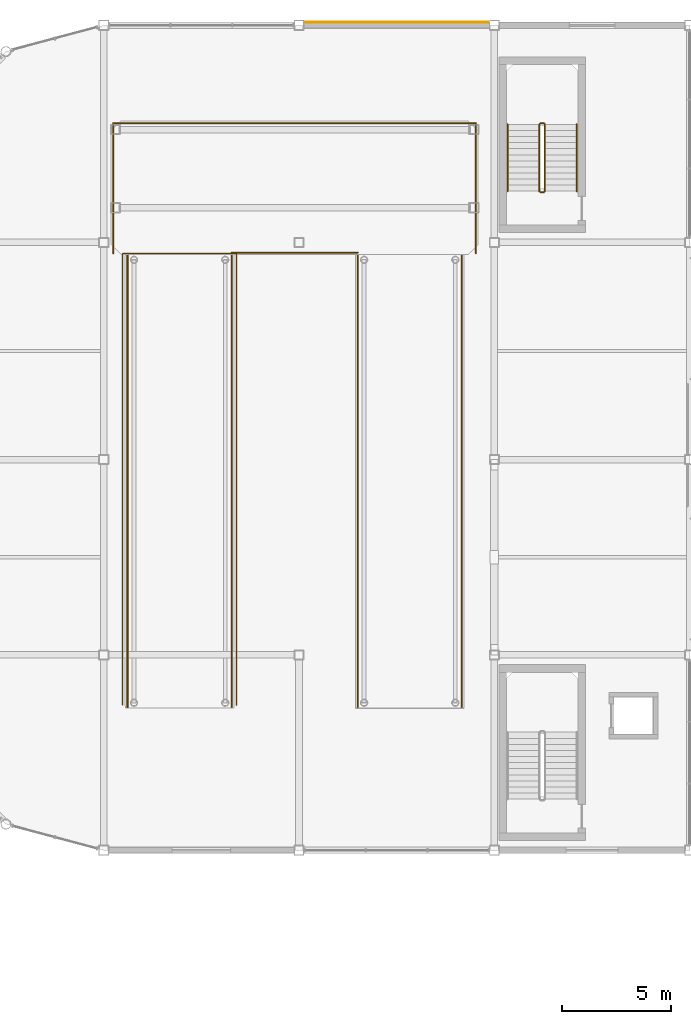
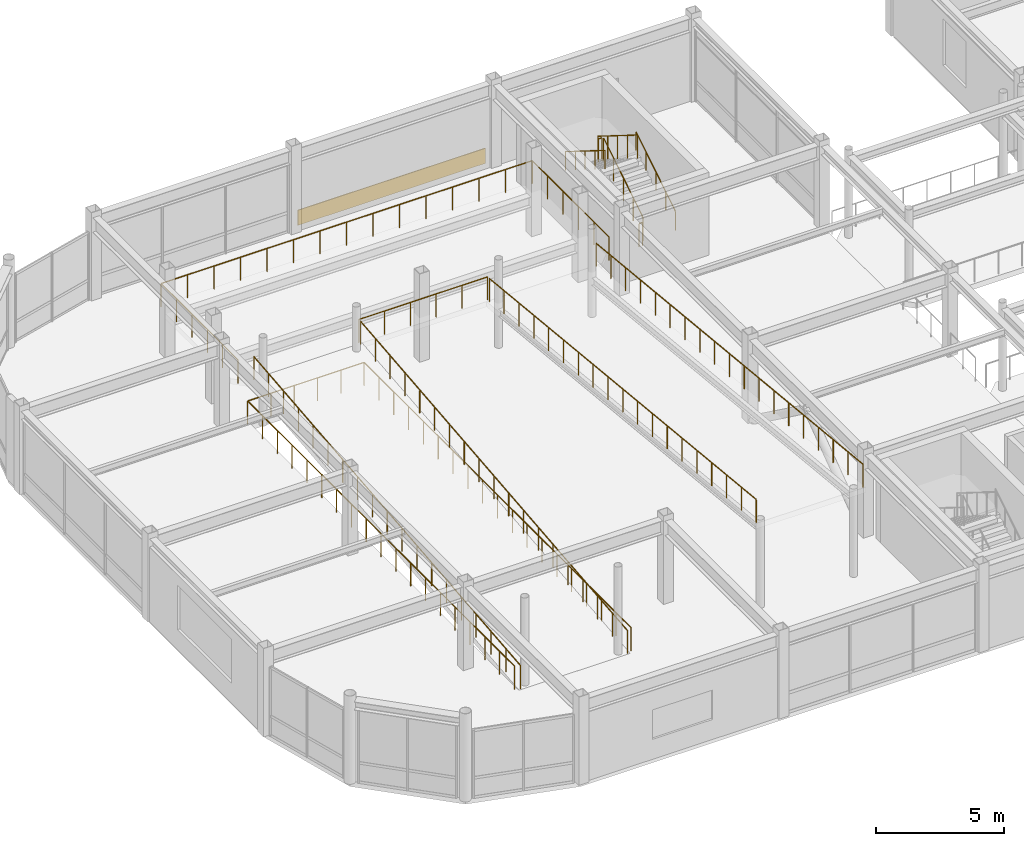
# One storey, part 95 of 105: 13 railings, 1 covering.
"""IFC4 building model written with IfcOpenShell, lengths in metres."""

from ifc_helpers import new_model, si_unit, direction, frame, origin, origin_2d, place, context, subcontext, project, spatial, rectangle, circle, extrude, material, layer, layer_set, type_object, element, save


model = new_model("IFC4")

# Units and contexts
model_context = context("Model", 3, precision=1e-05, world=origin(), true_north=direction((0.0, 1.0)))
body_context = subcontext(model_context, "Body", "Model", "MODEL_VIEW")
ifc_project = project(units=[si_unit("LENGTHUNIT", "METRE"), si_unit("AREAUNIT", "SQUARE_METRE"), si_unit("VOLUMEUNIT", "CUBIC_METRE"), si_unit("PLANEANGLEUNIT", "RADIAN"), si_unit("MASSUNIT", "GRAM", prefix="KILO")], contexts=[model_context])

# Site, building, storey
site_placement = place(None, origin())
site = spatial("IfcSite", under=ifc_project, at=site_placement, CompositionType="ELEMENT")
building_placement = place(site_placement, origin())
building = spatial("IfcBuilding", under=site, at=building_placement, Name="Suzunagisa Mobility Hub", CompositionType="ELEMENT")
storey_placement = place(building_placement, frame((0.0, 0.0, 5.10009765625)))
storey = spatial("IfcBuildingStorey", under=building, at=storey_placement, Name="L01", CompositionType="ELEMENT", Elevation=5.10009765625)

# Railings
ifc_material_1 = material(Name="Stainless Steel SUS304", Category="metal")
railing_type_1 = type_object("IfcRailingType", Name="Interior Well Guardrail IGR-01", PredefinedType="GUARDRAIL", material=ifc_material_1)
railing_1_placement = place(storey_placement, frame((29.330078125, 110.360107421875, 0.1748046875)))
element("IfcRailing", 1, at=railing_1_placement, inside=storey, type_object=railing_type_1, Name="L01 ST-06 stair guard 1", PredefinedType="GUARDRAIL", context=body_context, shape_type="SweptSolid", body=[
    extrude(circle(Radius=0.02392578125, at=origin_2d()), frame((0.0, 0.0, 1.09619140625), z_axis=(0.0, 0.847979421464, 0.530029150871), x_axis=(-1.0, 0.0, 0.0)), (0.0, 0.0, 1.0), 3.632080078125),
    extrude(circle(Radius=0.02099609375, at=origin_2d()), origin(), (0.0, 0.0, 1.0), 1.072021484375),
    extrude(circle(Radius=0.02099609375, at=origin_2d()), frame((0.0, 0.77001953125, 0.481201171875)), (0.0, 0.0, 1.0), 1.072021484375),
    extrude(circle(Radius=0.02099609375, at=origin_2d()), frame((0.0, 1.5400390625, 0.96240234375)), (0.0, 0.0, 1.0), 1.072021484375),
    extrude(circle(Radius=0.02099609375, at=origin_2d()), frame((0.0, 2.309814453125, 1.44384765625)), (0.0, 0.0, 1.0), 1.072021484375),
    extrude(circle(Radius=0.02099609375, at=origin_2d()), frame((0.0, 3.079833984375, 1.925048828125)), (0.0, 0.0, 1.0), 1.072021484375),
])
railing_2_placement = place(storey_placement, frame((29.280029296875, 113.489990234375, 2.099853515625)))
element("IfcRailing", 2, at=railing_2_placement, inside=storey, type_object=railing_type_1, Name="L01 ST-06 stair guard 2", PredefinedType="GUARDRAIL", context=body_context, shape_type="SweptSolid", body=[
    extrude(circle(Radius=0.02392578125, at=origin_2d()), frame((0.0, 0.0, 1.09619140625), z_axis=(-1.0, 0.0, 0.0), x_axis=(0.0, -1.0, 0.0)), (0.0, 0.0, 1.0), 0.159912109375),
    extrude(circle(Radius=0.02099609375, at=origin_2d()), origin(), (0.0, 0.0, 1.0), 1.072021484375),
    extrude(circle(Radius=0.02099609375, at=origin_2d()), frame((-0.159912109375, 0.0, 0.0)), (0.0, 0.0, 1.0), 1.072021484375),
])
railing_3_placement = place(storey_placement, frame((29.070068359375, 113.43994140625, 2.27490234375)))
element("IfcRailing", 3, at=railing_3_placement, inside=storey, type_object=railing_type_1, Name="L01 ST-06 stair guard 3", PredefinedType="GUARDRAIL", context=body_context, shape_type="SweptSolid", body=[
    extrude(circle(Radius=0.02392578125, at=origin_2d()), frame((0.0, 0.0, 1.09619140625), z_axis=(0.0, -0.847979421464, 0.530029150871), x_axis=(1.0, 0.0, 0.0)), (0.0, 0.0, 1.0), 3.632080078125),
    extrude(circle(Radius=0.02099609375, at=origin_2d()), origin(), (0.0, 0.0, 1.0), 1.072021484375),
    extrude(circle(Radius=0.02099609375, at=origin_2d()), frame((0.0, -0.77001953125, 0.481201171875)), (0.0, 0.0, 1.0), 1.072021484375),
    extrude(circle(Radius=0.02099609375, at=origin_2d()), frame((0.0, -1.5400390625, 0.96240234375)), (0.0, 0.0, 1.0), 1.072021484375),
    extrude(circle(Radius=0.02099609375, at=origin_2d()), frame((0.0, -2.309814453125, 1.44384765625)), (0.0, 0.0, 1.0), 1.072021484375),
    extrude(circle(Radius=0.02099609375, at=origin_2d()), frame((0.0, -3.079833984375, 1.925048828125)), (0.0, 0.0, 1.0), 1.072021484375),
])
railing_4_placement = place(storey_placement, frame((29.280029296875, 110.31005859375, 0.0)))
element("IfcRailing", 4, at=railing_4_placement, inside=storey, type_object=railing_type_1, Name="L01 ST-06 stair guard 4", PredefinedType="GUARDRAIL", context=body_context, shape_type="SweptSolid", body=[
    extrude(circle(Radius=0.02392578125, at=origin_2d()), frame((0.0, 0.0, 1.09619140625), z_axis=(-1.0, 0.0, 0.0), x_axis=(0.0, -1.0, 0.0)), (0.0, 0.0, 1.0), 0.159912109375),
    extrude(circle(Radius=0.02099609375, at=origin_2d()), origin(), (0.0, 0.0, 1.0), 1.072021484375),
    extrude(circle(Radius=0.02099609375, at=origin_2d()), frame((-0.159912109375, 0.0, 0.0)), (0.0, 0.0, 1.0), 1.072021484375),
])
railing_5_placement = place(storey_placement, frame((10.10009765625, 86.60009765625, 0.0)))
element("IfcRailing", 5, at=railing_5_placement, inside=storey, type_object=railing_type_1, Name="L01 Vehicle Ramp Up-Flight Side Guard RG-27", PredefinedType="GUARDRAIL", context=body_context, shape_type="SweptSolid", body=[
    extrude(circle(Radius=0.02392578125, at=origin_2d()), frame((0.0, 0.0, 1.09619140625), z_axis=(0.0, 0.994942625084, 0.100444874388), x_axis=(-1.0, 0.0, 0.0)), (0.0, 0.0, 1.0), 20.905517578125),
    extrude(circle(Radius=0.02099609375, at=origin_2d()), origin(), (0.0, 0.0, 1.0), 1.072021484375),
    extrude(circle(Radius=0.02099609375, at=origin_2d()), frame((0.0, 1.155517578125, 0.11669921875)), (0.0, 0.0, 1.0), 1.072021484375),
    extrude(circle(Radius=0.02099609375, at=origin_2d()), frame((0.0, 2.31103515625, 0.2333984375)), (0.0, 0.0, 1.0), 1.072021484375),
    extrude(circle(Radius=0.02099609375, at=origin_2d()), frame((0.0, 3.466552734375, 0.35009765625)), (0.0, 0.0, 1.0), 1.072021484375),
    extrude(circle(Radius=0.02099609375, at=origin_2d()), frame((0.0, 4.6220703125, 0.466552734375)), (0.0, 0.0, 1.0), 1.072021484375),
    extrude(circle(Radius=0.02099609375, at=origin_2d()), frame((0.0, 5.77783203125, 0.583251953125)), (0.0, 0.0, 1.0), 1.072021484375),
    extrude(circle(Radius=0.02099609375, at=origin_2d()), frame((0.0, 6.933349609375, 0.699951171875)), (0.0, 0.0, 1.0), 1.072021484375),
    extrude(circle(Radius=0.02099609375, at=origin_2d()), frame((0.0, 8.0888671875, 0.816650390625)), (0.0, 0.0, 1.0), 1.072021484375),
    extrude(circle(Radius=0.02099609375, at=origin_2d()), frame((0.0, 9.244384765625, 0.933349609375)), (0.0, 0.0, 1.0), 1.072021484375),
    extrude(circle(Radius=0.02099609375, at=origin_2d()), frame((0.0, 10.39990234375, 1.0498046875)), (0.0, 0.0, 1.0), 1.072021484375),
    extrude(circle(Radius=0.02099609375, at=origin_2d()), frame((0.0, 11.555419921875, 1.16650390625)), (0.0, 0.0, 1.0), 1.072021484375),
    extrude(circle(Radius=0.02099609375, at=origin_2d()), frame((0.0, 12.7109375, 1.283203125)), (0.0, 0.0, 1.0), 1.072021484375),
    extrude(circle(Radius=0.02099609375, at=origin_2d()), frame((0.0, 13.866455078125, 1.39990234375)), (0.0, 0.0, 1.0), 1.072021484375),
    extrude(circle(Radius=0.02099609375, at=origin_2d()), frame((0.0, 15.02197265625, 1.5166015625)), (0.0, 0.0, 1.0), 1.072021484375),
    extrude(circle(Radius=0.02099609375, at=origin_2d()), frame((0.0, 16.177734375, 1.63330078125)), (0.0, 0.0, 1.0), 1.072021484375),
    extrude(circle(Radius=0.02099609375, at=origin_2d()), frame((0.0, 17.333251953125, 1.75)), (0.0, 0.0, 1.0), 1.072021484375),
    extrude(circle(Radius=0.02099609375, at=origin_2d()), frame((0.0, 18.48876953125, 1.866455078125)), (0.0, 0.0, 1.0), 1.072021484375),
    extrude(circle(Radius=0.02099609375, at=origin_2d()), frame((0.0, 19.644287109375, 1.983154296875)), (0.0, 0.0, 1.0), 1.072021484375),
    extrude(circle(Radius=0.02099609375, at=origin_2d()), frame((0.0, 20.7998046875, 2.099853515625)), (0.0, 0.0, 1.0), 1.072021484375),
])
railing_6_placement = place(storey_placement, frame((20.699951171875, 107.39990234375, 2.099853515625)))
element("IfcRailing", 6, at=railing_6_placement, inside=storey, type_object=railing_type_1, Name="L01 Vehicle Ramp Upper-Flight Side Guard RG-28", PredefinedType="GUARDRAIL", context=body_context, shape_type="SweptSolid", body=[
    extrude(circle(Radius=0.02392578125, at=origin_2d()), frame((0.0, 0.0, 1.09619140625), z_axis=(0.0, -0.994941457927, 0.100456434822), x_axis=(1.0, 0.0, 0.0)), (0.0, 0.0, 1.0), 20.905517578125),
    extrude(circle(Radius=0.02099609375, at=origin_2d()), origin(), (0.0, 0.0, 1.0), 1.072021484375),
    extrude(circle(Radius=0.02099609375, at=origin_2d()), frame((0.0, -1.155517578125, 0.11669921875)), (0.0, 0.0, 1.0), 1.072021484375),
    extrude(circle(Radius=0.02099609375, at=origin_2d()), frame((0.0, -2.31103515625, 0.2333984375)), (0.0, 0.0, 1.0), 1.072021484375),
    extrude(circle(Radius=0.02099609375, at=origin_2d()), frame((0.0, -3.466552734375, 0.35009765625)), (0.0, 0.0, 1.0), 1.072021484375),
    extrude(circle(Radius=0.02099609375, at=origin_2d()), frame((0.0, -4.6220703125, 0.466796875)), (0.0, 0.0, 1.0), 1.072021484375),
    extrude(circle(Radius=0.02099609375, at=origin_2d()), frame((0.0, -5.77783203125, 0.583251953125)), (0.0, 0.0, 1.0), 1.072021484375),
    extrude(circle(Radius=0.02099609375, at=origin_2d()), frame((0.0, -6.933349609375, 0.699951171875)), (0.0, 0.0, 1.0), 1.072021484375),
    extrude(circle(Radius=0.02099609375, at=origin_2d()), frame((0.0, -8.0888671875, 0.816650390625)), (0.0, 0.0, 1.0), 1.072021484375),
    extrude(circle(Radius=0.02099609375, at=origin_2d()), frame((0.0, -9.244384765625, 0.933349609375)), (0.0, 0.0, 1.0), 1.072021484375),
    extrude(circle(Radius=0.02099609375, at=origin_2d()), frame((0.0, -10.39990234375, 1.050048828125)), (0.0, 0.0, 1.0), 1.072021484375),
    extrude(circle(Radius=0.02099609375, at=origin_2d()), frame((0.0, -11.555419921875, 1.166748046875)), (0.0, 0.0, 1.0), 1.072021484375),
    extrude(circle(Radius=0.02099609375, at=origin_2d()), frame((0.0, -12.7109375, 1.283447265625)), (0.0, 0.0, 1.0), 1.072021484375),
    extrude(circle(Radius=0.02099609375, at=origin_2d()), frame((0.0, -13.866455078125, 1.400146484375)), (0.0, 0.0, 1.0), 1.072021484375),
    extrude(circle(Radius=0.02099609375, at=origin_2d()), frame((0.0, -15.02197265625, 1.516845703125)), (0.0, 0.0, 1.0), 1.072021484375),
    extrude(circle(Radius=0.02099609375, at=origin_2d()), frame((0.0, -16.177734375, 1.63330078125)), (0.0, 0.0, 1.0), 1.072021484375),
    extrude(circle(Radius=0.02099609375, at=origin_2d()), frame((0.0, -17.333251953125, 1.75)), (0.0, 0.0, 1.0), 1.072021484375),
    extrude(circle(Radius=0.02099609375, at=origin_2d()), frame((0.0, -18.48876953125, 1.86669921875)), (0.0, 0.0, 1.0), 1.072021484375),
    extrude(circle(Radius=0.02099609375, at=origin_2d()), frame((0.0, -19.644287109375, 1.9833984375)), (0.0, 0.0, 1.0), 1.072021484375),
    extrude(circle(Radius=0.02099609375, at=origin_2d()), frame((0.0, -20.7998046875, 2.10009765625)), (0.0, 0.0, 1.0), 1.072021484375),
])
railing_7_placement = place(storey_placement, frame((14.89990234375, 86.60009765625, 0.0)))
element("IfcRailing", 7, at=railing_7_placement, inside=storey, type_object=railing_type_1, Name="L01 Vehicle Ramp Up-Flight Side Guard RG-29", PredefinedType="GUARDRAIL", context=body_context, shape_type="SweptSolid", body=[
    extrude(circle(Radius=0.02392578125, at=origin_2d()), frame((0.0, 0.0, 1.09619140625), z_axis=(0.0, 0.994942625084, 0.100444874388), x_axis=(-1.0, 0.0, 0.0)), (0.0, 0.0, 1.0), 20.905517578125),
    extrude(circle(Radius=0.02099609375, at=origin_2d()), origin(), (0.0, 0.0, 1.0), 1.072021484375),
    extrude(circle(Radius=0.02099609375, at=origin_2d()), frame((0.0, 1.155517578125, 0.11669921875)), (0.0, 0.0, 1.0), 1.072021484375),
    extrude(circle(Radius=0.02099609375, at=origin_2d()), frame((0.0, 2.31103515625, 0.2333984375)), (0.0, 0.0, 1.0), 1.072021484375),
    extrude(circle(Radius=0.02099609375, at=origin_2d()), frame((0.0, 3.466552734375, 0.35009765625)), (0.0, 0.0, 1.0), 1.072021484375),
    extrude(circle(Radius=0.02099609375, at=origin_2d()), frame((0.0, 4.6220703125, 0.466552734375)), (0.0, 0.0, 1.0), 1.072021484375),
    extrude(circle(Radius=0.02099609375, at=origin_2d()), frame((0.0, 5.77783203125, 0.583251953125)), (0.0, 0.0, 1.0), 1.072021484375),
    extrude(circle(Radius=0.02099609375, at=origin_2d()), frame((0.0, 6.933349609375, 0.699951171875)), (0.0, 0.0, 1.0), 1.072021484375),
    extrude(circle(Radius=0.02099609375, at=origin_2d()), frame((0.0, 8.0888671875, 0.816650390625)), (0.0, 0.0, 1.0), 1.072021484375),
    extrude(circle(Radius=0.02099609375, at=origin_2d()), frame((0.0, 9.244384765625, 0.933349609375)), (0.0, 0.0, 1.0), 1.072021484375),
    extrude(circle(Radius=0.02099609375, at=origin_2d()), frame((0.0, 10.39990234375, 1.0498046875)), (0.0, 0.0, 1.0), 1.072021484375),
    extrude(circle(Radius=0.02099609375, at=origin_2d()), frame((0.0, 11.555419921875, 1.16650390625)), (0.0, 0.0, 1.0), 1.072021484375),
    extrude(circle(Radius=0.02099609375, at=origin_2d()), frame((0.0, 12.7109375, 1.283203125)), (0.0, 0.0, 1.0), 1.072021484375),
    extrude(circle(Radius=0.02099609375, at=origin_2d()), frame((0.0, 13.866455078125, 1.39990234375)), (0.0, 0.0, 1.0), 1.072021484375),
    extrude(circle(Radius=0.02099609375, at=origin_2d()), frame((0.0, 15.02197265625, 1.5166015625)), (0.0, 0.0, 1.0), 1.072021484375),
    extrude(circle(Radius=0.02099609375, at=origin_2d()), frame((0.0, 16.177734375, 1.63330078125)), (0.0, 0.0, 1.0), 1.072021484375),
    extrude(circle(Radius=0.02099609375, at=origin_2d()), frame((0.0, 17.333251953125, 1.75)), (0.0, 0.0, 1.0), 1.072021484375),
    extrude(circle(Radius=0.02099609375, at=origin_2d()), frame((0.0, 18.48876953125, 1.866455078125)), (0.0, 0.0, 1.0), 1.072021484375),
    extrude(circle(Radius=0.02099609375, at=origin_2d()), frame((0.0, 19.644287109375, 1.983154296875)), (0.0, 0.0, 1.0), 1.072021484375),
    extrude(circle(Radius=0.02099609375, at=origin_2d()), frame((0.0, 20.7998046875, 2.099853515625)), (0.0, 0.0, 1.0), 1.072021484375),
])
railing_8_placement = place(storey_placement, frame((25.5, 107.39990234375, 2.099853515625)))
element("IfcRailing", 8, at=railing_8_placement, inside=storey, type_object=railing_type_1, Name="L01 Vehicle Ramp Upper-Flight Side Guard RG-30", PredefinedType="GUARDRAIL", context=body_context, shape_type="SweptSolid", body=[
    extrude(circle(Radius=0.02392578125, at=origin_2d()), frame((0.0, 0.0, 1.09619140625), z_axis=(0.0, -0.994941457927, 0.100456434822), x_axis=(1.0, 0.0, 0.0)), (0.0, 0.0, 1.0), 20.905517578125),
    extrude(circle(Radius=0.02099609375, at=origin_2d()), origin(), (0.0, 0.0, 1.0), 1.072021484375),
    extrude(circle(Radius=0.02099609375, at=origin_2d()), frame((0.0, -1.155517578125, 0.11669921875)), (0.0, 0.0, 1.0), 1.072021484375),
    extrude(circle(Radius=0.02099609375, at=origin_2d()), frame((0.0, -2.31103515625, 0.2333984375)), (0.0, 0.0, 1.0), 1.072021484375),
    extrude(circle(Radius=0.02099609375, at=origin_2d()), frame((0.0, -3.466552734375, 0.35009765625)), (0.0, 0.0, 1.0), 1.072021484375),
    extrude(circle(Radius=0.02099609375, at=origin_2d()), frame((0.0, -4.6220703125, 0.466796875)), (0.0, 0.0, 1.0), 1.072021484375),
    extrude(circle(Radius=0.02099609375, at=origin_2d()), frame((0.0, -5.77783203125, 0.583251953125)), (0.0, 0.0, 1.0), 1.072021484375),
    extrude(circle(Radius=0.02099609375, at=origin_2d()), frame((0.0, -6.933349609375, 0.699951171875)), (0.0, 0.0, 1.0), 1.072021484375),
    extrude(circle(Radius=0.02099609375, at=origin_2d()), frame((0.0, -8.0888671875, 0.816650390625)), (0.0, 0.0, 1.0), 1.072021484375),
    extrude(circle(Radius=0.02099609375, at=origin_2d()), frame((0.0, -9.244384765625, 0.933349609375)), (0.0, 0.0, 1.0), 1.072021484375),
    extrude(circle(Radius=0.02099609375, at=origin_2d()), frame((0.0, -10.39990234375, 1.050048828125)), (0.0, 0.0, 1.0), 1.072021484375),
    extrude(circle(Radius=0.02099609375, at=origin_2d()), frame((0.0, -11.555419921875, 1.166748046875)), (0.0, 0.0, 1.0), 1.072021484375),
    extrude(circle(Radius=0.02099609375, at=origin_2d()), frame((0.0, -12.7109375, 1.283447265625)), (0.0, 0.0, 1.0), 1.072021484375),
    extrude(circle(Radius=0.02099609375, at=origin_2d()), frame((0.0, -13.866455078125, 1.400146484375)), (0.0, 0.0, 1.0), 1.072021484375),
    extrude(circle(Radius=0.02099609375, at=origin_2d()), frame((0.0, -15.02197265625, 1.516845703125)), (0.0, 0.0, 1.0), 1.072021484375),
    extrude(circle(Radius=0.02099609375, at=origin_2d()), frame((0.0, -16.177734375, 1.63330078125)), (0.0, 0.0, 1.0), 1.072021484375),
    extrude(circle(Radius=0.02099609375, at=origin_2d()), frame((0.0, -17.333251953125, 1.75)), (0.0, 0.0, 1.0), 1.072021484375),
    extrude(circle(Radius=0.02099609375, at=origin_2d()), frame((0.0, -18.48876953125, 1.86669921875)), (0.0, 0.0, 1.0), 1.072021484375),
    extrude(circle(Radius=0.02099609375, at=origin_2d()), frame((0.0, -19.644287109375, 1.9833984375)), (0.0, 0.0, 1.0), 1.072021484375),
    extrude(circle(Radius=0.02099609375, at=origin_2d()), frame((0.0, -20.7998046875, 2.10009765625)), (0.0, 0.0, 1.0), 1.072021484375),
])
railing_9_placement = place(storey_placement, frame((9.449951171875, 107.5, 2.099853515625)))
element("IfcRailing", 9, at=railing_9_placement, inside=storey, type_object=railing_type_1, Name="L01 Vehicle Ramp Turn-Deck Guardrail RG-31", PredefinedType="GUARDRAIL", context=body_context, shape_type="SweptSolid", body=[
    extrude(circle(Radius=0.02392578125, at=origin_2d()), frame((0.0, 0.0, 1.09619140625), z_axis=(0.0, 1.0, 0.0), x_axis=(-1.0, 0.0, 0.0)), (0.0, 0.0, 1.0), 6.0),
    extrude(circle(Radius=0.02392578125, at=origin_2d()), frame((0.0, 6.0, 1.09619140625), z_axis=(1.0, 0.0, 0.0), x_axis=(0.0, 1.0, 0.0)), (0.0, 0.0, 1.0), 16.699951171875),
    extrude(circle(Radius=0.02392578125, at=origin_2d()), frame((16.699951171875, 6.0, 1.09619140625), z_axis=(0.0, -1.0, 0.0), x_axis=(1.0, 0.0, 0.0)), (0.0, 0.0, 1.0), 6.0),
    extrude(circle(Radius=0.02099609375, at=origin_2d()), origin(), (0.0, 0.0, 1.0), 1.072021484375),
    extrude(circle(Radius=0.02099609375, at=origin_2d()), frame((0.0, 1.199951171875, 0.0)), (0.0, 0.0, 1.0), 1.072021484375),
    extrude(circle(Radius=0.02099609375, at=origin_2d()), frame((0.0, 2.39990234375, 0.0)), (0.0, 0.0, 1.0), 1.072021484375),
    extrude(circle(Radius=0.02099609375, at=origin_2d()), frame((0.0, 3.60009765625, 0.0)), (0.0, 0.0, 1.0), 1.072021484375),
    extrude(circle(Radius=0.02099609375, at=origin_2d()), frame((0.0, 4.800048828125, 0.0)), (0.0, 0.0, 1.0), 1.072021484375),
    extrude(circle(Radius=0.02099609375, at=origin_2d()), frame((0.0, 6.0, 0.0)), (0.0, 0.0, 1.0), 1.072021484375),
    extrude(circle(Radius=0.02099609375, at=origin_2d()), frame((1.19287109375, 6.0, 0.0)), (0.0, 0.0, 1.0), 1.072021484375),
    extrude(circle(Radius=0.02099609375, at=origin_2d()), frame((2.3857421875, 6.0, 0.0)), (0.0, 0.0, 1.0), 1.072021484375),
    extrude(circle(Radius=0.02099609375, at=origin_2d()), frame((3.57861328125, 6.0, 0.0)), (0.0, 0.0, 1.0), 1.072021484375),
    extrude(circle(Radius=0.02099609375, at=origin_2d()), frame((4.771484375, 6.0, 0.0)), (0.0, 0.0, 1.0), 1.072021484375),
    extrude(circle(Radius=0.02099609375, at=origin_2d()), frame((5.96435546875, 6.0, 0.0)), (0.0, 0.0, 1.0), 1.072021484375),
    extrude(circle(Radius=0.02099609375, at=origin_2d()), frame((7.1572265625, 6.0, 0.0)), (0.0, 0.0, 1.0), 1.072021484375),
    extrude(circle(Radius=0.02099609375, at=origin_2d()), frame((8.35009765625, 6.0, 0.0)), (0.0, 0.0, 1.0), 1.072021484375),
    extrude(circle(Radius=0.02099609375, at=origin_2d()), frame((9.542724609375, 6.0, 0.0)), (0.0, 0.0, 1.0), 1.072021484375),
    extrude(circle(Radius=0.02099609375, at=origin_2d()), frame((10.735595703125, 6.0, 0.0)), (0.0, 0.0, 1.0), 1.072021484375),
    extrude(circle(Radius=0.02099609375, at=origin_2d()), frame((11.928466796875, 6.0, 0.0)), (0.0, 0.0, 1.0), 1.072021484375),
    extrude(circle(Radius=0.02099609375, at=origin_2d()), frame((13.121337890625, 6.0, 0.0)), (0.0, 0.0, 1.0), 1.072021484375),
    extrude(circle(Radius=0.02099609375, at=origin_2d()), frame((14.314208984375, 6.0, 0.0)), (0.0, 0.0, 1.0), 1.072021484375),
    extrude(circle(Radius=0.02099609375, at=origin_2d()), frame((15.507080078125, 6.0, 0.0)), (0.0, 0.0, 1.0), 1.072021484375),
    extrude(circle(Radius=0.02099609375, at=origin_2d()), frame((16.699951171875, 6.0, 0.0)), (0.0, 0.0, 1.0), 1.072021484375),
    extrude(circle(Radius=0.02099609375, at=origin_2d()), frame((16.699951171875, 4.800048828125, 0.0)), (0.0, 0.0, 1.0), 1.072021484375),
    extrude(circle(Radius=0.02099609375, at=origin_2d()), frame((16.699951171875, 3.60009765625, 0.0)), (0.0, 0.0, 1.0), 1.072021484375),
    extrude(circle(Radius=0.02099609375, at=origin_2d()), frame((16.699951171875, 2.39990234375, 0.0)), (0.0, 0.0, 1.0), 1.072021484375),
    extrude(circle(Radius=0.02099609375, at=origin_2d()), frame((16.699951171875, 1.199951171875, 0.0)), (0.0, 0.0, 1.0), 1.072021484375),
    extrude(circle(Radius=0.02099609375, at=origin_2d()), frame((16.699951171875, 0.0, 0.0)), (0.0, 0.0, 1.0), 1.072021484375),
])
railing_10_placement = place(storey_placement, frame((14.89990234375, 107.530029296875, 2.099853515625)))
element("IfcRailing", 10, at=railing_10_placement, inside=storey, type_object=railing_type_1, Name="L01 Vehicle Ramp Turn-Slot Guardrail RG-32", PredefinedType="GUARDRAIL", context=body_context, shape_type="SweptSolid", body=[
    extrude(circle(Radius=0.02392578125, at=origin_2d()), frame((0.0, 0.0, 1.09619140625), z_axis=(1.0, 0.0, 0.0), x_axis=(0.0, 1.0, 0.0)), (0.0, 0.0, 1.0), 5.800048828125),
    extrude(circle(Radius=0.02099609375, at=origin_2d()), origin(), (0.0, 0.0, 1.0), 1.072021484375),
    extrude(circle(Radius=0.02099609375, at=origin_2d()), frame((1.159912109375, 0.0, 0.0)), (0.0, 0.0, 1.0), 1.072021484375),
    extrude(circle(Radius=0.02099609375, at=origin_2d()), frame((2.320068359375, 0.0, 0.0)), (0.0, 0.0, 1.0), 1.072021484375),
    extrude(circle(Radius=0.02099609375, at=origin_2d()), frame((3.47998046875, 0.0, 0.0)), (0.0, 0.0, 1.0), 1.072021484375),
    extrude(circle(Radius=0.02099609375, at=origin_2d()), frame((4.64013671875, 0.0, 0.0)), (0.0, 0.0, 1.0), 1.072021484375),
    extrude(circle(Radius=0.02099609375, at=origin_2d()), frame((5.800048828125, 0.0, 0.0)), (0.0, 0.0, 1.0), 1.072021484375),
])
railing_11_placement = place(storey_placement, frame((9.8798828125, 86.699951171875, 0.0)))
element("IfcRailing", 11, at=railing_11_placement, inside=storey, type_object=railing_type_1, Name="L01 Ramp Entry Well Guardrail RG-33", PredefinedType="GUARDRAIL", context=body_context, shape_type="SweptSolid", body=[
    extrude(circle(Radius=0.02392578125, at=origin_2d()), frame((0.0, 0.0, 1.09619140625), z_axis=(0.0, 1.0, 0.0), x_axis=(-1.0, 0.0, 0.0)), (0.0, 0.0, 1.0), 20.800048828125),
    extrude(circle(Radius=0.02392578125, at=origin_2d()), frame((0.0, 20.800048828125, 1.09619140625), z_axis=(1.0, 0.0, 0.0), x_axis=(0.0, 1.0, 0.0)), (0.0, 0.0, 1.0), 5.240234375),
    extrude(circle(Radius=0.02392578125, at=origin_2d()), frame((5.240234375, 20.800048828125, 1.09619140625), z_axis=(0.0, -1.0, 0.0), x_axis=(1.0, 0.0, 0.0)), (0.0, 0.0, 1.0), 20.800048828125),
    extrude(circle(Radius=0.02099609375, at=origin_2d()), origin(), (0.0, 0.0, 1.0), 1.072021484375),
    extrude(circle(Radius=0.02099609375, at=origin_2d()), frame((0.0, 1.155517578125, 0.0)), (0.0, 0.0, 1.0), 1.072021484375),
    extrude(circle(Radius=0.02099609375, at=origin_2d()), frame((0.0, 2.31103515625, 0.0)), (0.0, 0.0, 1.0), 1.072021484375),
    extrude(circle(Radius=0.02099609375, at=origin_2d()), frame((0.0, 3.466796875, 0.0)), (0.0, 0.0, 1.0), 1.072021484375),
    extrude(circle(Radius=0.02099609375, at=origin_2d()), frame((0.0, 4.622314453125, 0.0)), (0.0, 0.0, 1.0), 1.072021484375),
    extrude(circle(Radius=0.02099609375, at=origin_2d()), frame((0.0, 5.77783203125, 0.0)), (0.0, 0.0, 1.0), 1.072021484375),
    extrude(circle(Radius=0.02099609375, at=origin_2d()), frame((0.0, 6.933349609375, 0.0)), (0.0, 0.0, 1.0), 1.072021484375),
    extrude(circle(Radius=0.02099609375, at=origin_2d()), frame((0.0, 8.0888671875, 0.0)), (0.0, 0.0, 1.0), 1.072021484375),
    extrude(circle(Radius=0.02099609375, at=origin_2d()), frame((0.0, 9.244384765625, 0.0)), (0.0, 0.0, 1.0), 1.072021484375),
    extrude(circle(Radius=0.02099609375, at=origin_2d()), frame((0.0, 10.39990234375, 0.0)), (0.0, 0.0, 1.0), 1.072021484375),
    extrude(circle(Radius=0.02099609375, at=origin_2d()), frame((0.0, 11.5556640625, 0.0)), (0.0, 0.0, 1.0), 1.072021484375),
    extrude(circle(Radius=0.02099609375, at=origin_2d()), frame((0.0, 12.711181640625, 0.0)), (0.0, 0.0, 1.0), 1.072021484375),
    extrude(circle(Radius=0.02099609375, at=origin_2d()), frame((0.0, 13.86669921875, 0.0)), (0.0, 0.0, 1.0), 1.072021484375),
    extrude(circle(Radius=0.02099609375, at=origin_2d()), frame((0.0, 15.022216796875, 0.0)), (0.0, 0.0, 1.0), 1.072021484375),
    extrude(circle(Radius=0.02099609375, at=origin_2d()), frame((0.0, 16.177734375, 0.0)), (0.0, 0.0, 1.0), 1.072021484375),
    extrude(circle(Radius=0.02099609375, at=origin_2d()), frame((0.0, 17.33349609375, 0.0)), (0.0, 0.0, 1.0), 1.072021484375),
    extrude(circle(Radius=0.02099609375, at=origin_2d()), frame((0.0, 18.489013671875, 0.0)), (0.0, 0.0, 1.0), 1.072021484375),
    extrude(circle(Radius=0.02099609375, at=origin_2d()), frame((0.0, 19.64453125, 0.0)), (0.0, 0.0, 1.0), 1.072021484375),
    extrude(circle(Radius=0.02099609375, at=origin_2d()), frame((0.0, 20.800048828125, 0.0)), (0.0, 0.0, 1.0), 1.072021484375),
    extrude(circle(Radius=0.02099609375, at=origin_2d()), frame((1.048095703125, 20.800048828125, 0.0)), (0.0, 0.0, 1.0), 1.072021484375),
    extrude(circle(Radius=0.02099609375, at=origin_2d()), frame((2.09619140625, 20.800048828125, 0.0)), (0.0, 0.0, 1.0), 1.072021484375),
    extrude(circle(Radius=0.02099609375, at=origin_2d()), frame((3.14404296875, 20.800048828125, 0.0)), (0.0, 0.0, 1.0), 1.072021484375),
    extrude(circle(Radius=0.02099609375, at=origin_2d()), frame((4.192138671875, 20.800048828125, 0.0)), (0.0, 0.0, 1.0), 1.072021484375),
    extrude(circle(Radius=0.02099609375, at=origin_2d()), frame((5.240234375, 20.800048828125, 0.0)), (0.0, 0.0, 1.0), 1.072021484375),
    extrude(circle(Radius=0.02099609375, at=origin_2d()), frame((5.240234375, 19.64453125, 0.0)), (0.0, 0.0, 1.0), 1.072021484375),
    extrude(circle(Radius=0.02099609375, at=origin_2d()), frame((5.240234375, 18.489013671875, 0.0)), (0.0, 0.0, 1.0), 1.072021484375),
    extrude(circle(Radius=0.02099609375, at=origin_2d()), frame((5.240234375, 17.33349609375, 0.0)), (0.0, 0.0, 1.0), 1.072021484375),
    extrude(circle(Radius=0.02099609375, at=origin_2d()), frame((5.240234375, 16.177734375, 0.0)), (0.0, 0.0, 1.0), 1.072021484375),
    extrude(circle(Radius=0.02099609375, at=origin_2d()), frame((5.240234375, 15.022216796875, 0.0)), (0.0, 0.0, 1.0), 1.072021484375),
    extrude(circle(Radius=0.02099609375, at=origin_2d()), frame((5.240234375, 13.86669921875, 0.0)), (0.0, 0.0, 1.0), 1.072021484375),
    extrude(circle(Radius=0.02099609375, at=origin_2d()), frame((5.240234375, 12.711181640625, 0.0)), (0.0, 0.0, 1.0), 1.072021484375),
    extrude(circle(Radius=0.02099609375, at=origin_2d()), frame((5.240234375, 11.5556640625, 0.0)), (0.0, 0.0, 1.0), 1.072021484375),
    extrude(circle(Radius=0.02099609375, at=origin_2d()), frame((5.240234375, 10.39990234375, 0.0)), (0.0, 0.0, 1.0), 1.072021484375),
    extrude(circle(Radius=0.02099609375, at=origin_2d()), frame((5.240234375, 9.244384765625, 0.0)), (0.0, 0.0, 1.0), 1.072021484375),
    extrude(circle(Radius=0.02099609375, at=origin_2d()), frame((5.240234375, 8.0888671875, 0.0)), (0.0, 0.0, 1.0), 1.072021484375),
    extrude(circle(Radius=0.02099609375, at=origin_2d()), frame((5.240234375, 6.933349609375, 0.0)), (0.0, 0.0, 1.0), 1.072021484375),
    extrude(circle(Radius=0.02099609375, at=origin_2d()), frame((5.240234375, 5.77783203125, 0.0)), (0.0, 0.0, 1.0), 1.072021484375),
    extrude(circle(Radius=0.02099609375, at=origin_2d()), frame((5.240234375, 4.622314453125, 0.0)), (0.0, 0.0, 1.0), 1.072021484375),
    extrude(circle(Radius=0.02099609375, at=origin_2d()), frame((5.240234375, 3.466796875, 0.0)), (0.0, 0.0, 1.0), 1.072021484375),
    extrude(circle(Radius=0.02099609375, at=origin_2d()), frame((5.240234375, 2.31103515625, 0.0)), (0.0, 0.0, 1.0), 1.072021484375),
    extrude(circle(Radius=0.02099609375, at=origin_2d()), frame((5.240234375, 1.155517578125, 0.0)), (0.0, 0.0, 1.0), 1.072021484375),
    extrude(circle(Radius=0.02099609375, at=origin_2d()), frame((5.240234375, 0.0, 0.0)), (0.0, 0.0, 1.0), 1.072021484375),
])

# Covering
ifc_material_2 = material(Name="Vitreous Porcelain Enamel Aluminum Cladding", Category="aluminium")
ifc_layer = layer(ifc_material_2, 0.034912109375)
ifc_layer_set = layer_set([ifc_layer], Name="Vitreous Porcelain Enamel Aluminum Cladding")
covering_type = type_object("IfcCoveringType", Name="Porcelain Enamel Spandrel Cladding Band CLD-01", PredefinedType="CLADDING", material=ifc_layer_set)
covering_placement = place(storey_placement, frame((22.5, 118.1474609375, 0.06005859375), z_axis=(0.0, 0.0, 1.0), x_axis=(-1.0, 0.0, 0.0)))
element("IfcCovering", 12, at=covering_placement, inside=storey, type_object=covering_type, Name="L01 Porcelain Spandrel Cladding Band CLD-7", PredefinedType="CLADDING", context=body_context, shape_type="SweptSolid", body=[
    extrude(rectangle(XDim=8.449951171875, YDim=0.034912109375, at=origin_2d()), origin(), (0.0, 0.0, 1.0), 0.719970703125),
])

# Railings
railing_type_2 = type_object("IfcRailingType", Name="Tubular Stainless Stair Handrail IHR-01", PredefinedType="HANDRAIL", material=ifc_material_1)
railing_12_placement = place(storey_placement, frame((30.7900390625, 110.360107421875, 0.1748046875)))
element("IfcRailing", 13, at=railing_12_placement, inside=storey, type_object=railing_type_2, Name="L01 ST-06 stair handrail 1", PredefinedType="HANDRAIL", context=body_context, shape_type="SweptSolid", body=[
    extrude(circle(Radius=0.02392578125, at=origin_2d()), frame((0.0, 0.0, 0.8759765625), z_axis=(0.0, 0.847979421464, 0.530029150871), x_axis=(-1.0, 0.0, 0.0)), (0.0, 0.0, 1.0), 3.632080078125),
    extrude(circle(Radius=0.02099609375, at=origin_2d()), origin(), (0.0, 0.0, 1.0), 0.851806640625),
    extrude(circle(Radius=0.02099609375, at=origin_2d()), frame((0.0, 0.77001953125, 0.481201171875)), (0.0, 0.0, 1.0), 0.851806640625),
    extrude(circle(Radius=0.02099609375, at=origin_2d()), frame((0.0, 1.5400390625, 0.96240234375)), (0.0, 0.0, 1.0), 0.851806640625),
    extrude(circle(Radius=0.02099609375, at=origin_2d()), frame((0.0, 2.309814453125, 1.44384765625)), (0.0, 0.0, 1.0), 0.851806640625),
    extrude(circle(Radius=0.02099609375, at=origin_2d()), frame((0.0, 3.079833984375, 1.925048828125)), (0.0, 0.0, 1.0), 0.851806640625),
])
railing_13_placement = place(storey_placement, frame((27.610107421875, 113.43994140625, 2.27490234375)))
element("IfcRailing", 14, at=railing_13_placement, inside=storey, type_object=railing_type_2, Name="L01 ST-06 stair handrail 2", PredefinedType="HANDRAIL", context=body_context, shape_type="SweptSolid", body=[
    extrude(circle(Radius=0.02392578125, at=origin_2d()), frame((0.0, 0.0, 0.8759765625), z_axis=(0.0, -0.847979421464, 0.530029150871), x_axis=(1.0, 0.0, 0.0)), (0.0, 0.0, 1.0), 3.632080078125),
    extrude(circle(Radius=0.02099609375, at=origin_2d()), origin(), (0.0, 0.0, 1.0), 0.851806640625),
    extrude(circle(Radius=0.02099609375, at=origin_2d()), frame((0.0, -0.77001953125, 0.481201171875)), (0.0, 0.0, 1.0), 0.851806640625),
    extrude(circle(Radius=0.02099609375, at=origin_2d()), frame((0.0, -1.5400390625, 0.96240234375)), (0.0, 0.0, 1.0), 0.851806640625),
    extrude(circle(Radius=0.02099609375, at=origin_2d()), frame((0.0, -2.309814453125, 1.44384765625)), (0.0, 0.0, 1.0), 0.851806640625),
    extrude(circle(Radius=0.02099609375, at=origin_2d()), frame((0.0, -3.079833984375, 1.925048828125)), (0.0, 0.0, 1.0), 0.851806640625),
])

save(model, "model.ifc")
